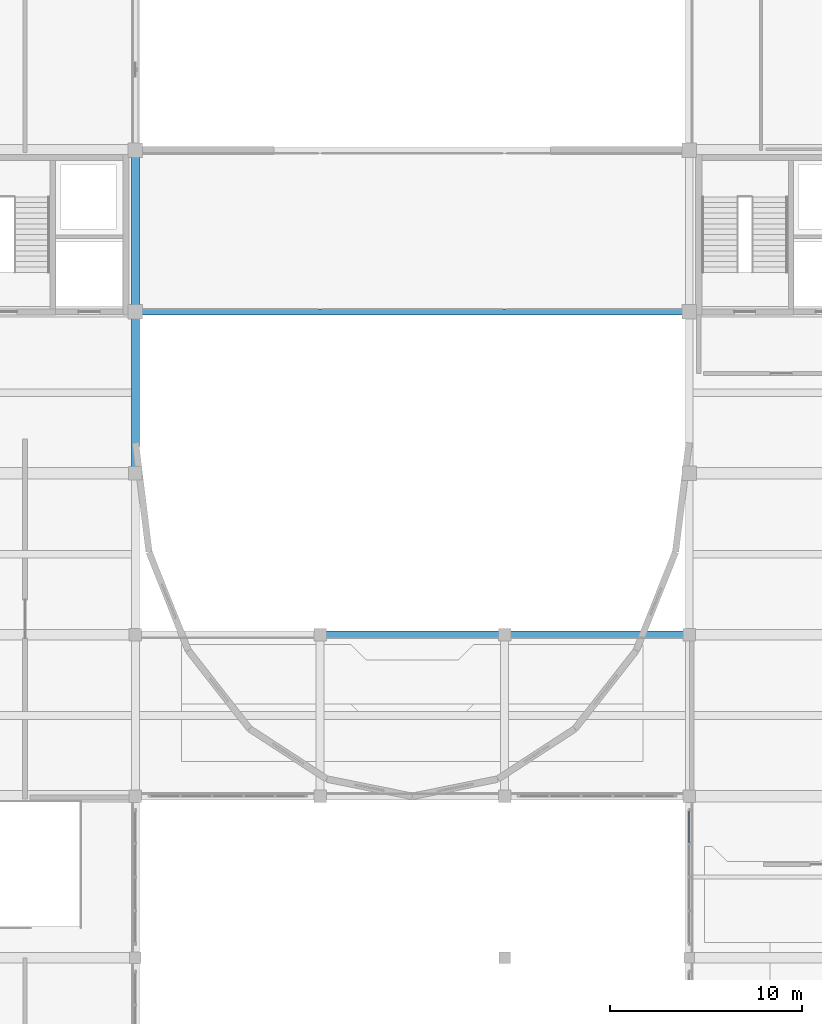
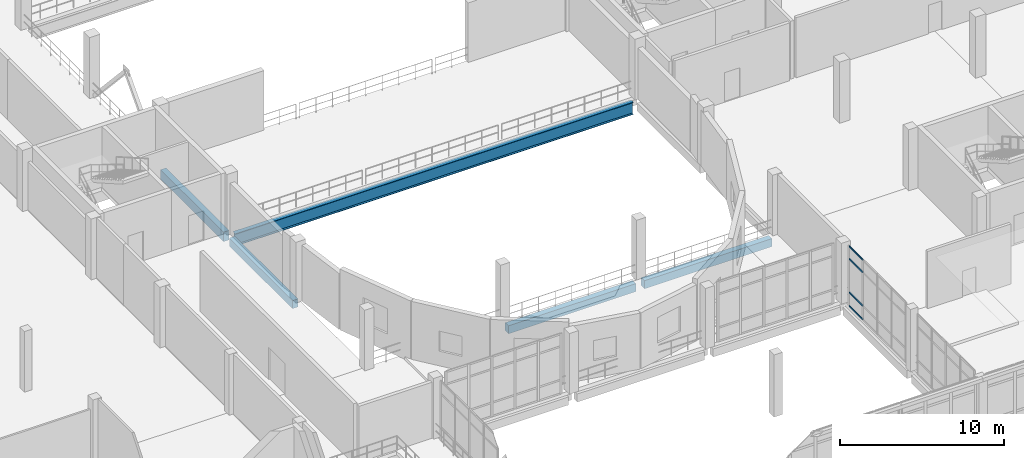
# One storey, part 38 of 88: 5 beams, 4 members, 1 element without a shape of its own.
"""IFC4 building model written with IfcOpenShell, lengths in metres."""

import ifcopenshell
import ifcopenshell.guid

model = None  # the IFC model being written
_history = None  # IfcOwnerHistory: only IFC2X3 demands one
_inside = {}  # id of a spatial element -> (the spatial element, [elements in it])
_under = {}  # id of a project, library or spatial element -> (it, [spatial elements below it])
_declared = {}  # id of a project -> (the project, [libraries it declares])
_typed = {}  # id of a type object -> (the type object, [elements of that type])
_made_of = {}  # id of a material, layer set ... -> (it, [elements and type objects made of it])


def new_model(schema):
    """Start an empty IFC model of exactly this schema.

    Asked for "IFC4X3", IfcOpenShell would pick the latest addendum, in which some entities
    have other attributes; the version numbers below select the first issue.
    IFC2X3 requires an IfcOwnerHistory on every rooted entity: one is made here for all.
    """
    global model, _history
    if schema == "IFC4X3":
        model = ifcopenshell.file(schema_version=(4, 3, 0, 0))
    else:
        model = ifcopenshell.file(schema=schema)
    _inside.clear()
    _under.clear()
    _declared.clear()
    _typed.clear()
    _made_of.clear()
    _history = None
    if model.schema == "IFC2X3":
        org = make("IfcOrganization", Name="unknown")
        user = make(
            "IfcPersonAndOrganization",
            ThePerson=make("IfcPerson", FamilyName="unknown"),
            TheOrganization=org,
        )
        app = make(
            "IfcApplication",
            ApplicationDeveloper=org,
            Version="unknown",
            ApplicationFullName="unknown",
            ApplicationIdentifier="unknown",
        )
        _history = make(
            "IfcOwnerHistory",
            OwningUser=user,
            OwningApplication=app,
            ChangeAction="ADDED",
            CreationDate=0,
        )
    return model


def make(cls, **values):
    """One entity of the class cls with the attributes given. An attribute that is None is left unset."""
    return model.create_entity(
        cls, **{name: value for name, value in values.items() if value is not None}
    )


def rooted(cls, **values):
    """An entity with a GlobalId (a new one), such as an element, a storey or a relation."""
    return make(cls, GlobalId=ifcopenshell.guid.new(), OwnerHistory=_history, **values)


def si_unit(unit_type, name, prefix=None):
    """IfcSIUnit, for example si_unit("LENGTHUNIT", "METRE", prefix="MILLI")."""
    return make("IfcSIUnit", UnitType=unit_type, Prefix=prefix, Name=name)


def assignment(units):
    """IfcUnitAssignment: the units of a project."""
    return None if units is None else make("IfcUnitAssignment", Units=units)


def point(xyz):
    """IfcCartesianPoint."""
    return None if xyz is None else make("IfcCartesianPoint", Coordinates=xyz)


def direction(xyz):
    """IfcDirection."""
    return None if xyz is None else make("IfcDirection", DirectionRatios=xyz)


def frame(location, z_axis=None, x_axis=None):
    """IfcAxis2Placement3D, a coordinate frame: its origin and axes. An axis left out is left unset."""
    return make(
        "IfcAxis2Placement3D",
        Location=point(location),
        Axis=direction(z_axis),
        RefDirection=direction(x_axis),
    )


def frame_2d(location, x_axis=None):
    """IfcAxis2Placement2D, a coordinate frame in the plane: its origin and x axis."""
    return make(
        "IfcAxis2Placement2D", Location=point(location), RefDirection=direction(x_axis)
    )


def origin():
    """The frame at (0, 0, 0) with its axes left unset."""
    return frame((0.0, 0.0, 0.0))


def origin_2d():
    """The frame at (0, 0) in the plane with its x axis left unset."""
    return frame_2d((0.0, 0.0))


def place(relative_to, where):
    """IfcLocalPlacement: puts the frame where relative to a parent placement (None: the world)."""
    return make(
        "IfcLocalPlacement", PlacementRelTo=relative_to, RelativePlacement=where
    )


def context(
    kind, dimensions, precision=None, world=None, true_north=None, identifier=None
):
    """IfcGeometricRepresentationContext, for example the 3D "Model" context."""
    return make(
        "IfcGeometricRepresentationContext",
        ContextIdentifier=identifier,
        ContextType=kind,
        CoordinateSpaceDimension=dimensions,
        Precision=precision,
        WorldCoordinateSystem=world,
        TrueNorth=true_north,
    )


def subcontext(parent, identifier, kind, view, scale=None):
    """IfcGeometricRepresentationSubContext, for example "Body" below "Model"."""
    return make(
        "IfcGeometricRepresentationSubContext",
        ContextIdentifier=identifier,
        ContextType=kind,
        ParentContext=parent,
        TargetScale=scale,
        TargetView=view,
    )


def project(units=None, contexts=None):
    """IfcProject with its units and contexts."""
    return rooted(
        "IfcProject",
        Name="project",
        RepresentationContexts=contexts,
        UnitsInContext=assignment(units),
    )


def spatial(cls, under=None, at=None, **own):
    """A site, building, storey or space (cls), placed at a placement, below another one or the project."""
    s = rooted(cls, ObjectPlacement=at, **own)
    if under is not None:
        _under.setdefault(under.id(), (under, []))[1].append(s)
    return s


def profile(cls, at=None, kind="AREA", **sizes):
    """A parametric profile (cls). Its sizes go by their IFC names, for example OverallWidth=200.0."""
    return make(cls, ProfileType=kind, Position=at, **sizes)


def rectangle(**sizes):
    """IfcRectangleProfileDef."""
    return profile("IfcRectangleProfileDef", **sizes)


def hollow_rectangle(**sizes):
    """IfcRectangleHollowProfileDef."""
    return profile("IfcRectangleHollowProfileDef", **sizes)


def i_section(**sizes):
    """IfcIShapeProfileDef."""
    return profile("IfcIShapeProfileDef", **sizes)


def extrude(swept, where, along, depth):
    """IfcExtrudedAreaSolid: the profile swept, set in the frame where, extruded along a direction by depth."""
    return make(
        "IfcExtrudedAreaSolid",
        SweptArea=swept,
        Position=where,
        ExtrudedDirection=direction(along),
        Depth=depth,
    )


def shape(context_of_items, identifier, shape_type, items):
    """IfcShapeRepresentation: the items that make up one representation, for example the "Body"."""
    return make(
        "IfcShapeRepresentation",
        ContextOfItems=context_of_items,
        RepresentationIdentifier=identifier,
        RepresentationType=shape_type,
        Items=items,
    )


def material(Name=None, Category=None):
    """IfcMaterial."""
    return make("IfcMaterial", Name=Name, Category=Category)


def layer(
    of_material, thickness, ventilated=None, Name=None, Category=None, Priority=None
):
    """IfcMaterialLayer: one layer of a wall or slab, of a material (None: an air gap)."""
    return make(
        "IfcMaterialLayer",
        Material=of_material,
        LayerThickness=thickness,
        IsVentilated=ventilated,
        Name=Name,
        Category=Category,
        Priority=Priority,
    )


def layer_set(layers, Name=None):
    """IfcMaterialLayerSet."""
    return make("IfcMaterialLayerSet", MaterialLayers=layers, LayerSetName=Name)


def material_profile(
    of_material, cross_section, Name=None, Category=None, Priority=None
):
    """IfcMaterialProfile: a cross section and its material."""
    return make(
        "IfcMaterialProfile",
        Name=Name,
        Material=of_material,
        Profile=cross_section,
        Priority=Priority,
        Category=Category,
    )


def profile_set(profiles, Name=None, composite=None):
    """IfcMaterialProfileSet."""
    return make(
        "IfcMaterialProfileSet",
        Name=Name,
        MaterialProfiles=profiles,
        CompositeProfile=composite,
    )


def made_of(thing, what):
    """Note that an element or type object is made of a material, layer set ...; save() writes the relation."""
    if what is not None:
        _made_of.setdefault(what.id(), (what, []))[1].append(thing)
    return thing


def type_object(cls, material=None, **own):
    """A type object (cls), such as IfcWallType, which elements share."""
    return made_of(rooted(cls, **own), material)


def element(
    cls,
    number,
    at=None,
    inside=None,
    cuts=None,
    type_object=None,
    material=None,
    context=None,
    identifier="Body",
    shape_type=None,
    held_by="IfcProductDefinitionShape",
    body=None,
    shapes=None,
    **own,
):
    """One element of the class cls, such as IfcWall. Its Tag is "e" and its number.

    at: its placement. inside: the storey or other place that contains it. cuts: it is an
    opening in that element (IfcRelVoidsElement). A single representation is given by context,
    identifier, shape_type and body (its items); several are given by shapes. held_by: the class
    of the entity that holds the representations. save() writes the other relations.
    """
    e = rooted(cls, Tag="e%d" % number, ObjectPlacement=at, **own)
    if body is not None:
        shapes = [shape(context, identifier, shape_type, body)]
    if shapes is not None:
        e.Representation = make(held_by, Representations=shapes)
    if inside is not None:
        _inside.setdefault(inside.id(), (inside, []))[1].append(e)
    if cuts is not None:
        rooted(
            "IfcRelVoidsElement", RelatingBuildingElement=cuts, RelatedOpeningElement=e
        )
    if type_object is not None:
        _typed.setdefault(type_object.id(), (type_object, []))[1].append(e)
    return made_of(e, material)


def aggregate(whole, parts):
    """IfcRelAggregates: a whole, such as a stair, and the parts it consists of."""
    return rooted("IfcRelAggregates", RelatingObject=whole, RelatedObjects=parts)


def save(model, path):
    """Write the relations noted so far, then the file.

    IfcRelAggregates (storeys below a building ...), IfcRelContainedInSpatialStructure (elements
    in a storey), IfcRelDefinesByType, IfcRelAssociatesMaterial and IfcRelDeclares: one each for
    every whole, place, type object, material and project.
    """
    for whole, parts in _under.values():
        aggregate(whole, parts)
    for where, things in _inside.values():
        rooted(
            "IfcRelContainedInSpatialStructure",
            RelatedElements=things,
            RelatingStructure=where,
        )
    for kind, things in _typed.values():
        rooted("IfcRelDefinesByType", RelatedObjects=things, RelatingType=kind)
    for what, things in _made_of.values():
        rooted("IfcRelAssociatesMaterial", RelatedObjects=things, RelatingMaterial=what)
    for by, libraries in _declared.values():
        rooted("IfcRelDeclares", RelatingContext=by, RelatedDefinitions=libraries)
    model.write(path)


model = new_model("IFC4")

# Units and contexts
model_context = context("Model", 3, precision=1e-05, world=origin(), true_north=direction((0.0, 1.0)))
body_context = subcontext(model_context, "Body", "Model", "MODEL_VIEW")
ifc_project = project(units=[si_unit("LENGTHUNIT", "METRE"), si_unit("AREAUNIT", "SQUARE_METRE"), si_unit("VOLUMEUNIT", "CUBIC_METRE"), si_unit("PLANEANGLEUNIT", "RADIAN"), si_unit("MASSUNIT", "GRAM", prefix="KILO")], contexts=[model_context])

# Site, building, storey
site_placement = place(None, origin())
site = spatial("IfcSite", under=ifc_project, at=site_placement, CompositionType="ELEMENT")
building_placement = place(site_placement, origin())
building = spatial("IfcBuilding", under=site, at=building_placement, Name="Lornevale Opera House", CompositionType="ELEMENT")
storey_placement = place(building_placement, frame((0.0, 0.0, 10.199951171875)))
storey = spatial("IfcBuildingStorey", under=building, at=storey_placement, Name="L03", CompositionType="ELEMENT", Elevation=10.199951171875)

# Beams
ifc_material_1 = material(Name="Concrete 35 MPa (CSA A23.1 N)", Category="concrete")
ifc_material_profile_1 = material_profile(ifc_material_1, rectangle(XDim=0.39990234375, YDim=0.699951171875, at=origin_2d()), Name="RC400x700")
ifc_profile_set_1 = profile_set([ifc_material_profile_1], Name="Concrete 35 MPa (CSA A23.1 N)")
beam_type_1 = type_object("IfcBeamType", Name="Concrete Floor Beam 400x700", PredefinedType="USERDEFINED", material=ifc_profile_set_1)
beam_1_placement = place(storey_placement, frame((67.199951171875, 59.14990234375, -0.6298828125), z_axis=(0.0, 1.0, 0.0), x_axis=(-1.0, 0.0, 0.0)))
element("IfcBeam", 1, at=beam_1_placement, inside=storey, type_object=beam_type_1, Name="Concrete Floor Beam 400x700 2293", ObjectType="GIRDER", PredefinedType="USERDEFINED", context=body_context, shape_type="SweptSolid", body=[
    extrude(rectangle(XDim=0.39990234375, YDim=0.699951171875, at=origin_2d()), origin(), (0.0, 0.0, 1.0), 7.7001953125),
])
ifc_material_profile_2 = material_profile(ifc_material_1, rectangle(XDim=0.39990234375, YDim=0.60009765625, at=origin_2d()), Name="RC400x600")
ifc_profile_set_2 = profile_set([ifc_material_profile_2], Name="Concrete 35 MPa (CSA A23.1 N)")
beam_type_2 = type_object("IfcBeamType", Name="Concrete Spandrel Beam 400x600", PredefinedType="SPANDREL", material=ifc_profile_set_2)
for number, where, z_axis, x_axis, name in (
    (2, (77.10009765625, 42.0, -0.579833984375), (1.0, 0.0, 0.0), (0.0, 1.0, 0.0), "Concrete Spandrel Beam 400x600 2135"),
    (3, (86.699951171875, 42.0, -0.579833984375), (1.0, 0.0, 0.0), (0.0, 1.0, 0.0), "Concrete Spandrel Beam 400x600 2136"),
):
    element("IfcBeam", number, at=place(storey_placement, frame(where, z_axis=z_axis, x_axis=x_axis)), inside=storey, type_object=beam_type_2, Name=name, PredefinedType="SPANDREL", context=body_context, shape_type="SweptSolid", body=[
        extrude(rectangle(XDim=0.39990234375, YDim=0.60009765625, at=origin_2d()), origin(), (0.0, 0.0, 1.0), 9.0),
    ])
beam_2_placement = place(storey_placement, frame((67.199951171875, 50.72509765625, -0.579833984375), z_axis=(0.0, 1.0, 0.0), x_axis=(-1.0, 0.0, 0.0)))
element("IfcBeam", 4, at=beam_2_placement, inside=storey, type_object=beam_type_2, Name="Concrete Spandrel Beam 400x600 2292", PredefinedType="SPANDREL", context=body_context, shape_type="SweptSolid", body=[
    extrude(rectangle(XDim=0.39990234375, YDim=0.60009765625, at=origin_2d()), origin(), (0.0, 0.0, 1.0), 7.724853515625),
])

# Curtain wall, members
ifc_material_2 = material(Name="Anodized Oxide-Green Aluminium Framing", Category="aluminium")
ifc_layer = layer(ifc_material_2, 0.14990234375)
ifc_layer_set = layer_set([ifc_layer], Name="Anodized Oxide-Green Aluminium Framing")
curtain_wall_type = type_object("IfcCurtainWallType", Name="North-Light Clerestory Curtain Wall M1600", PredefinedType="NOTDEFINED", material=ifc_layer_set)
curtain_wall_placement = place(storey_placement, origin())
curtain_wall = element("IfcCurtainWall", 5, at=curtain_wall_placement, inside=storey, type_object=curtain_wall_type, Name="North-Light Clerestory Curtain Wall M1600 CW-179", PredefinedType="NOTDEFINED")
ifc_material_profile_3 = material_profile(ifc_material_2, hollow_rectangle(XDim=0.06005859375, YDim=0.114990234375, WallThickness=0.00390625, at=origin_2d()), Name="ALU60x115x4")
ifc_profile_set_3 = profile_set([ifc_material_profile_3], Name="Anodized Oxide-Green Aluminium Framing")
member_type = type_object("IfcMemberType", Name="Curtain Wall Transom 60x115", PredefinedType="USERDEFINED", material=ifc_profile_set_3)
member_1_placement = place(storey_placement, frame((96.0, 32.840087890625, 0.030029296875), z_axis=(0.0, -1.0, 0.0), x_axis=(1.0, 0.0, 0.0)))
member_1 = element("IfcMember", 6, at=member_1_placement, type_object=member_type, Name="Curtain Wall Transom 60x115 CW3744", ObjectType="TRANSOM", PredefinedType="USERDEFINED", context=body_context, shape_type="SweptSolid", body=[
    extrude(hollow_rectangle(XDim=0.06005859375, YDim=0.114990234375, WallThickness=0.00390625, at=origin_2d()), origin(), (0.0, 0.0, 1.0), 1.66015625),
])
member_2_placement = place(storey_placement, frame((96.0, 32.840087890625, 1.050048828125), z_axis=(0.0, -1.0, 0.0), x_axis=(1.0, 0.0, 0.0)))
member_2 = element("IfcMember", 7, at=member_2_placement, type_object=member_type, Name="Curtain Wall Transom 60x115 CW3745", ObjectType="TRANSOM", PredefinedType="USERDEFINED", context=body_context, shape_type="SweptSolid", body=[
    extrude(hollow_rectangle(XDim=0.06005859375, YDim=0.114990234375, WallThickness=0.00390625, at=origin_2d()), origin(), (0.0, 0.0, 1.0), 1.66015625),
])
member_3_placement = place(storey_placement, frame((96.0, 32.840087890625, 3.550048828125), z_axis=(0.0, -1.0, 0.0), x_axis=(1.0, 0.0, 0.0)))
member_3 = element("IfcMember", 8, at=member_3_placement, type_object=member_type, Name="Curtain Wall Transom 60x115 CW3746", ObjectType="TRANSOM", PredefinedType="USERDEFINED", context=body_context, shape_type="SweptSolid", body=[
    extrude(hollow_rectangle(XDim=0.06005859375, YDim=0.114990234375, WallThickness=0.00390625, at=origin_2d()), origin(), (0.0, 0.0, 1.0), 1.66015625),
])
member_4_placement = place(storey_placement, frame((96.0, 32.840087890625, 4.469970703125), z_axis=(0.0, -1.0, 0.0), x_axis=(1.0, 0.0, 0.0)))
member_4 = element("IfcMember", 9, at=member_4_placement, type_object=member_type, Name="Curtain Wall Transom 60x115 CW3747", ObjectType="TRANSOM", PredefinedType="USERDEFINED", context=body_context, shape_type="SweptSolid", body=[
    extrude(hollow_rectangle(XDim=0.06005859375, YDim=0.114990234375, WallThickness=0.00390625, at=origin_2d()), origin(), (0.0, 0.0, 1.0), 1.66015625),
])
aggregate(curtain_wall, [member_1, member_2, member_3, member_4])

# Beam
ifc_material_3 = material(Name="Structural Steel CSA G40.21 Grade 350W (350 MPa)", Category="steel")
ifc_material_profile_4 = material_profile(ifc_material_3, i_section(OverallWidth=0.305908203125, OverallDepth=0.9189453125, WebThickness=0.017333984375, FlangeThickness=0.02783203125, at=origin_2d()), Name="W920x253")
ifc_profile_set_4 = profile_set([ifc_material_profile_4], Name="Structural Steel CSA G40.21 Grade 350W (350 MPa)")
beam_type_3 = type_object("IfcBeamType", Name="Steel Stagehouse Girder W920x253", PredefinedType="USERDEFINED", material=ifc_profile_set_4)
beam_3_placement = place(storey_placement, frame((67.550048828125, 58.800048828125, -0.75439453125), z_axis=(1.0, 0.0, 0.0), x_axis=(0.0, 1.0, 0.0)))
element("IfcBeam", 10, at=beam_3_placement, inside=storey, type_object=beam_type_3, Name="Steel Stagehouse Girder W920x253 2157", ObjectType="GIRDER", PredefinedType="USERDEFINED", context=body_context, shape_type="SweptSolid", body=[
    extrude(i_section(OverallWidth=0.305908203125, OverallDepth=0.9189453125, WebThickness=0.017333984375, FlangeThickness=0.02783203125, at=origin_2d()), origin(), (0.0, 0.0, 1.0), 28.099853515625),
])

save(model, "model.ifc")
